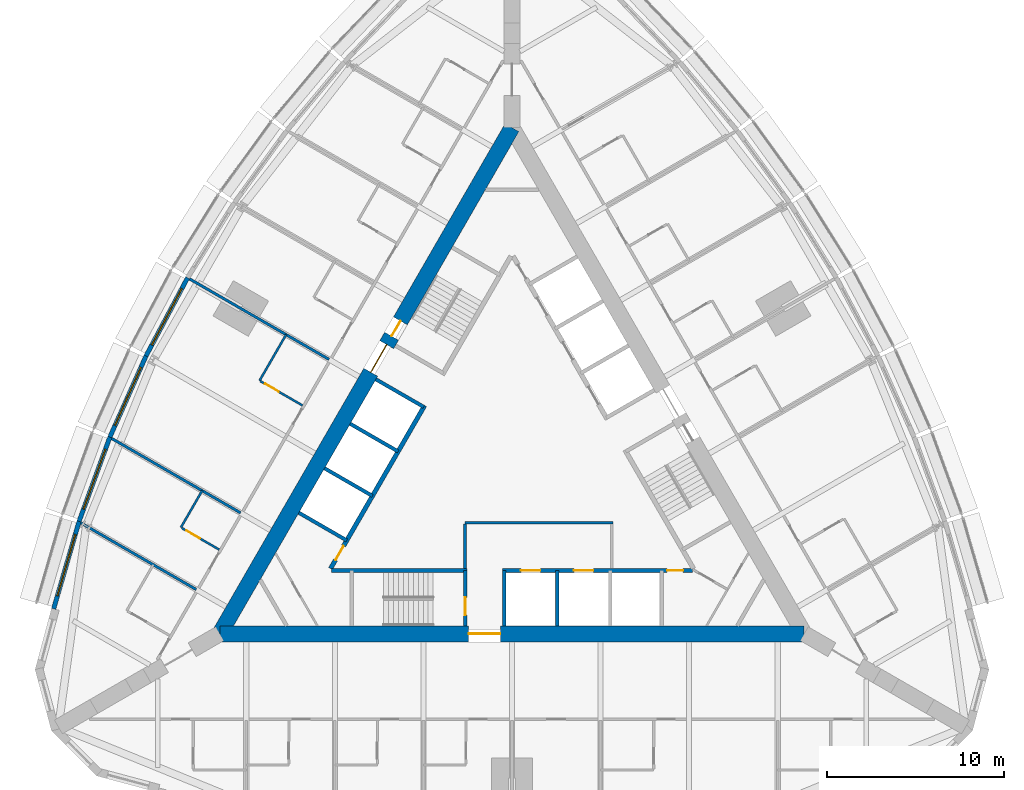
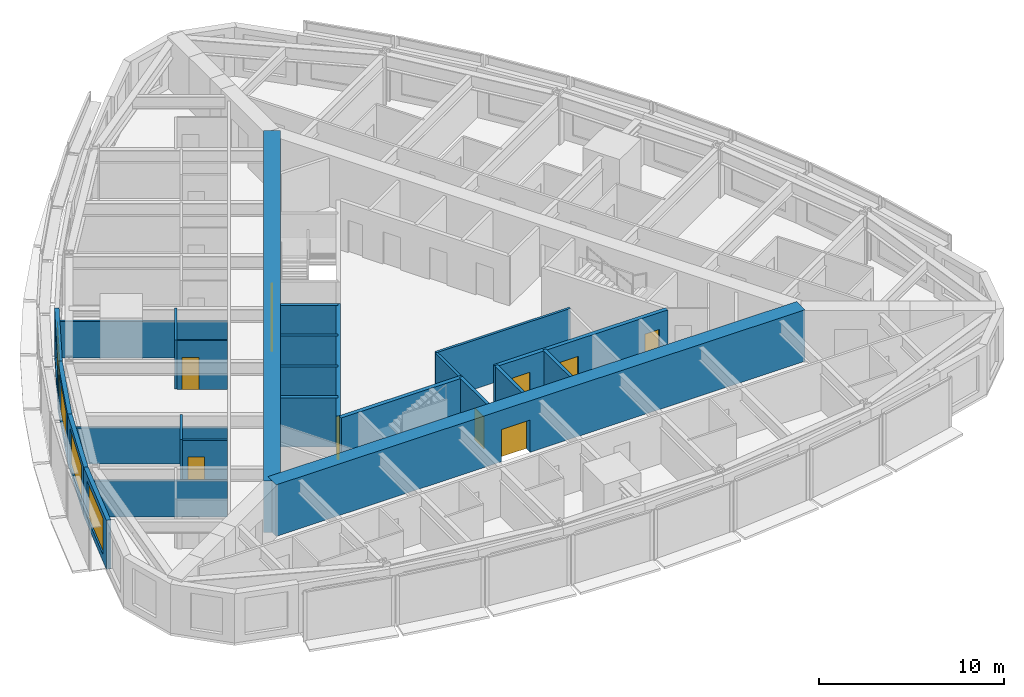
# One storey, part 9 of 14: 25 walls, 10 doors, 4 windows, 14 openings.
"""IFC4 building model written with IfcOpenShell, lengths in metres."""

from ifc_helpers import new_model, si_unit, direction, frame, frame_2d, origin, place, context, subcontext, project, spatial, rectangle, extrude, material, layer, layer_set, type_object, element, fill, save


model = new_model("IFC4")

# Units and contexts
model_context = context("Model", 3, precision=1e-05, world=origin(), true_north=direction((0.0, 1.0)))
body_context = subcontext(model_context, "Body", "Model", "MODEL_VIEW")
ifc_project = project(units=[si_unit("LENGTHUNIT", "METRE"), si_unit("AREAUNIT", "SQUARE_METRE"), si_unit("VOLUMEUNIT", "CUBIC_METRE"), si_unit("PLANEANGLEUNIT", "RADIAN"), si_unit("MASSUNIT", "GRAM", prefix="KILO")], contexts=[model_context])

# Site, building, storey
site_placement = place(None, origin())
site = spatial("IfcSite", under=ifc_project, at=site_placement, CompositionType="ELEMENT")
building_placement = place(site_placement, origin())
building = spatial("IfcBuilding", under=site, at=building_placement, Name="Trikona Tower", CompositionType="ELEMENT")
storey_placement = place(building_placement, frame((0.0, 0.0, 121.5)))
storey = spatial("IfcBuildingStorey", under=building, at=storey_placement, Name="L31", CompositionType="ELEMENT", Elevation=121.5)

# Wall
ifc_material_1 = material(Name="Metal stud and cement board", Category="gypsum")
ifc_layer_1 = layer(ifc_material_1, 0.1201171875)
ifc_layer_set_1 = layer_set([ifc_layer_1], Name="Bathroom wall 120")
wall_type_1 = type_object("IfcWallType", Name="Bathroom wall 120", PredefinedType="PLUMBINGWALL", material=ifc_layer_set_1)
wall_1_placement = place(storey_placement, frame((-12.75341796875, 7.363037109375, 0.0), z_axis=(0.0, 0.0, 1.0), x_axis=(-0.50002537861, -0.866010750942, 0.0)))
element("IfcWall", 1, at=wall_1_placement, inside=storey, type_object=wall_type_1, Name="Bathroom wall 3117", PredefinedType="PLUMBINGWALL", context=body_context, shape_type="SweptSolid", body=[
    extrude(rectangle(XDim=2.999755859375, YDim=0.1201171875, at=frame_2d((1.5, 0.0))), origin(), (0.0, 0.0, 1.0), 3.235107421875),
])

# Wall, opening, door
wall_2_placement = place(storey_placement, frame((-11.82861328125, 3.364990234375, 0.0), z_axis=(0.0, 0.0, 1.0), x_axis=(-0.865997131366, 0.500048966069, 0.0)))
wall_2 = element("IfcWall", 2, at=wall_2_placement, inside=storey, type_object=wall_type_1, Name="Bathroom wall 3117", PredefinedType="PLUMBINGWALL", context=body_context, shape_type="SweptSolid", body=[
    extrude(rectangle(XDim=2.739990234375, YDim=0.1201171875, at=frame_2d((1.3701171875, 0.0))), origin(), (0.0, 0.0, 1.0), 3.235107421875),
])
opening_1_placement = place(wall_2_placement, frame((1.550048828125, 0.0, 0.0)))
opening_1 = element("IfcOpeningElement", 3, at=opening_1_placement, cuts=wall_2, Name="Opening D2", PredefinedType="OPENING", context=body_context, shape_type="SweptSolid", body=[
    extrude(rectangle(XDim=0.89990234375, YDim=2.1298828125, at=frame_2d((0.449951171875, 1.06494140625))), frame((0.0, 0.070068359375, 0.0), z_axis=(0.0, -1.0, 0.0), x_axis=(1.0, 0.0, 0.0)), (0.0, 0.0, 1.0), 0.14013671875),
])
ifc_material_2 = material(Name="Steel door frame with solid-core timber leaf", Category="steel")
door_type_1 = type_object("IfcDoorType", Name="Bathroom door 900x2130", OperationType="SLIDING_TO_LEFT", PredefinedType="DOOR", material=ifc_material_2)
door_1_placement = place(opening_1_placement, origin())
door_1 = element("IfcDoor", 4, at=door_1_placement, inside=storey, type_object=door_type_1, Name="Bathroom door 3117", OperationType="SLIDING_TO_LEFT", OverallHeight=2.1298828125, OverallWidth=0.89990234375, PredefinedType="DOOR", context=body_context, shape_type="SweptSolid", body=[
    extrude(rectangle(XDim=0.89990234375, YDim=2.1298828125, at=frame_2d((0.449951171875, 1.06494140625))), frame((0.0, 0.02490234375, 0.0), z_axis=(0.0, -1.0, 0.0), x_axis=(1.0, 0.0, 0.0)), (0.0, 0.0, 1.0), 0.050048828125),
])
fill(opening_1, door_1)

# Wall
wall_3_placement = place(storey_placement, frame((-17.493408203125, -1.447021484375, 0.0), z_axis=(0.0, 0.0, 1.0), x_axis=(-0.500033551112, -0.866006032174, 0.0)))
element("IfcWall", 5, at=wall_3_placement, inside=storey, type_object=wall_type_1, Name="Bathroom wall 3118", PredefinedType="PLUMBINGWALL", context=body_context, shape_type="SweptSolid", body=[
    extrude(rectangle(XDim=2.400146484375, YDim=0.1201171875, at=frame_2d((1.2001953125, 0.0))), origin(), (0.0, 0.0, 1.0), 3.235107421875),
])

# Wall, opening, door
wall_4_placement = place(storey_placement, frame((-16.528564453125, -4.775634765625, 0.0), z_axis=(0.0, 0.0, 1.0), x_axis=(-0.866023955769, 0.500002508028, 0.0)))
wall_4 = element("IfcWall", 6, at=wall_4_placement, inside=storey, type_object=wall_type_1, Name="Bathroom wall 3118", PredefinedType="PLUMBINGWALL", context=body_context, shape_type="SweptSolid", body=[
    extrude(rectangle(XDim=2.43994140625, YDim=0.1201171875, at=frame_2d((1.219970703125, 0.0))), origin(), (0.0, 0.0, 1.0), 3.235107421875),
])
opening_2_placement = place(wall_4_placement, frame((1.25, 0.0, 0.0)))
opening_2 = element("IfcOpeningElement", 7, at=opening_2_placement, cuts=wall_4, Name="Opening D2", PredefinedType="OPENING", context=body_context, shape_type="SweptSolid", body=[
    extrude(rectangle(XDim=0.89990234375, YDim=2.1298828125, at=frame_2d((0.449951171875, 1.06494140625))), frame((0.0, 0.070068359375, 0.0), z_axis=(0.0, -1.0, 0.0), x_axis=(1.0, 0.0, 0.0)), (0.0, 0.0, 1.0), 0.14013671875),
])
door_2_placement = place(opening_2_placement, origin())
door_2 = element("IfcDoor", 8, at=door_2_placement, inside=storey, type_object=door_type_1, Name="Bathroom door 3118", OperationType="SLIDING_TO_LEFT", OverallHeight=2.1298828125, OverallWidth=0.89990234375, PredefinedType="DOOR", context=body_context, shape_type="SweptSolid", body=[
    extrude(rectangle(XDim=0.89990234375, YDim=2.1298828125, at=frame_2d((0.449951171875, 1.06494140625))), frame((0.0, 0.02490234375, 0.0), z_axis=(0.0, -1.0, 0.0), x_axis=(1.0, 0.0, 0.0)), (0.0, 0.0, 1.0), 0.050048828125),
])
fill(opening_2, door_2)

ifc_material_3 = material(Name="Concrete f'c 10000 psi", Category="concrete")
ifc_layer_2 = layer(ifc_material_3, 0.89990234375)
ifc_layer_set_2 = layer_set([ifc_layer_2], Name="Core wall 900")
wall_type_2 = type_object("IfcWallType", Name="Core wall 900", PredefinedType="SHEAR", material=ifc_layer_set_2)
wall_5_placement = place(storey_placement, frame((-16.5, -9.5263671875, 0.0), z_axis=(0.0, 0.0, 1.0), x_axis=(1.0, 0.0, 0.0)))
wall_5 = element("IfcWall", 9, at=wall_5_placement, inside=storey, type_object=wall_type_2, Name="Core wall A", PredefinedType="SHEAR", context=body_context, shape_type="SweptSolid", body=[
    extrude(rectangle(XDim=33.0, YDim=0.89990234375, at=frame_2d((16.5, 0.0))), origin(), (0.0, 0.0, 1.0), 3.39990234375),
])
opening_3_placement = place(wall_5_placement, frame((14.050048828125, 0.0, 0.0)))
opening_3 = element("IfcOpeningElement", 10, at=opening_3_placement, cuts=wall_5, Name="Opening D6", PredefinedType="OPENING", context=body_context, shape_type="SweptSolid", body=[
    extrude(rectangle(XDim=1.800048828125, YDim=2.1298828125, at=frame_2d((0.89990234375, 1.06494140625))), frame((0.0, 0.4599609375, 0.0), z_axis=(0.0, -1.0, 0.0), x_axis=(1.0, 0.0, 0.0)), (0.0, 0.0, 1.0), 0.919921875),
])
ifc_material_4 = material(Name="Hollow metal door and frame", Category="steel")
door_type_2 = type_object("IfcDoorType", Name="Lobby door pair 1800x2130", OperationType="DOUBLE_DOOR_SINGLE_SWING", PredefinedType="DOOR", material=ifc_material_4)
door_3_placement = place(opening_3_placement, origin())
door_3 = element("IfcDoor", 11, at=door_3_placement, inside=storey, type_object=door_type_2, Name="Fire service lift lobby door", OperationType="DOUBLE_DOOR_SINGLE_SWING", OverallHeight=2.1298828125, OverallWidth=1.800048828125, PredefinedType="DOOR", context=body_context, shape_type="SweptSolid", body=[
    extrude(rectangle(XDim=1.800048828125, YDim=2.1298828125, at=frame_2d((0.89990234375, 1.06494140625))), frame((0.0, 0.02490234375, 0.0), z_axis=(0.0, -1.0, 0.0), x_axis=(1.0, 0.0, 0.0)), (0.0, 0.0, 1.0), 0.050048828125),
])
fill(opening_3, door_3)

# Wall, openings, doors
wall_6_placement = place(storey_placement, frame((0.0, 19.052490234375, 0.0), z_axis=(0.0, 0.0, 1.0), x_axis=(-0.499999749417, -0.866025548458, 0.0)))
wall_6 = element("IfcWall", 12, at=wall_6_placement, inside=storey, type_object=wall_type_2, Name="Core wall C", PredefinedType="SHEAR", context=body_context, shape_type="SweptSolid", body=[
    extrude(rectangle(XDim=33.0, YDim=0.89990234375, at=frame_2d((16.5, 0.0))), origin(), (0.0, 0.0, 1.0), 3.39990234375),
])
opening_4_placement = place(wall_6_placement, frame((14.14990234375, 0.0, 0.0)))
opening_4 = element("IfcOpeningElement", 13, at=opening_4_placement, cuts=wall_6, Name="Opening D6", PredefinedType="OPENING", context=body_context, shape_type="SweptSolid", body=[
    extrude(rectangle(XDim=1.800048828125, YDim=2.1298828125, at=frame_2d((0.89990234375, 1.06494140625))), frame((0.0, 0.4599609375, 0.0), z_axis=(0.0, -1.0, 0.0), x_axis=(1.0, 0.0, 0.0)), (0.0, 0.0, 1.0), 0.919921875),
])
opening_5_placement = place(wall_6_placement, frame((12.60009765625, 0.0, 0.0)))
opening_5 = element("IfcOpeningElement", 14, at=opening_5_placement, cuts=wall_6, Name="Opening D5", PredefinedType="OPENING", context=body_context, shape_type="SweptSolid", body=[
    extrude(rectangle(XDim=1.0, YDim=2.1298828125, at=frame_2d((0.5, 1.06494140625))), frame((0.0, 0.4599609375, 0.0), z_axis=(0.0, -1.0, 0.0), x_axis=(1.0, 0.0, 0.0)), (0.0, 0.0, 1.0), 0.919921875),
])
door_4_placement = place(opening_4_placement, origin())
door_4 = element("IfcDoor", 15, at=door_4_placement, inside=storey, type_object=door_type_2, Name="Lift lobby door C", OperationType="DOUBLE_DOOR_SINGLE_SWING", OverallHeight=2.1298828125, OverallWidth=1.800048828125, PredefinedType="DOOR", context=body_context, shape_type="SweptSolid", body=[
    extrude(rectangle(XDim=1.800048828125, YDim=2.1298828125, at=frame_2d((0.89990234375, 1.06494140625))), frame((0.0, 0.02490234375, 0.0), z_axis=(0.0, -1.0, 0.0), x_axis=(1.0, 0.0, 0.0)), (0.0, 0.0, 1.0), 0.050048828125),
])
fill(opening_4, door_4)
ifc_material_5 = material(Name="Hollow metal door and frame", Category="steel")
door_type_3 = type_object("IfcDoorType", Name="Stair door 1000x2130", OperationType="SINGLE_SWING_LEFT", PredefinedType="DOOR", material=ifc_material_5)
door_5_placement = place(opening_5_placement, origin())
door_5 = element("IfcDoor", 16, at=door_5_placement, inside=storey, type_object=door_type_3, Name="Stair C door", OperationType="SINGLE_SWING_RIGHT", OverallHeight=2.1298828125, OverallWidth=1.0, PredefinedType="DOOR", context=body_context, shape_type="SweptSolid", body=[
    extrude(rectangle(XDim=1.0, YDim=2.1298828125, at=frame_2d((0.5, 1.06494140625))), frame((0.0, 0.02490234375, 0.0), z_axis=(0.0, -1.0, 0.0), x_axis=(1.0, 0.0, 0.0)), (0.0, 0.0, 1.0), 0.050048828125),
])
fill(opening_5, door_5)

# Wall
ifc_material_6 = material(Name="Concrete f'c 8000 psi", Category="concrete")
ifc_layer_3 = layer(ifc_material_6, 0.25)
ifc_layer_set_3 = layer_set([ifc_layer_3], Name="Hub wall 250")
wall_type_3 = type_object("IfcWallType", Name="Hub wall 250", PredefinedType="SOLIDWALL", material=ifc_layer_set_3)
wall_7_placement = place(storey_placement, frame((-10.182861328125, -5.951416015625, 0.0), z_axis=(0.0, 0.0, 1.0), x_axis=(1.0, 0.0, 0.0)))
element("IfcWall", 17, at=wall_7_placement, inside=storey, type_object=wall_type_3, Name="Lift lobby wall A1", PredefinedType="SOLIDWALL", context=body_context, shape_type="SweptSolid", body=[
    extrude(rectangle(XDim=7.6328125, YDim=0.25, at=frame_2d((3.81640625, 0.0))), origin(), (0.0, 0.0, 1.0), 3.235107421875),
])

# Wall, openings, doors
wall_8_placement = place(storey_placement, frame((-0.550048828125, -5.951416015625, 0.0), z_axis=(0.0, 0.0, 1.0), x_axis=(1.0, 0.0, 0.0)))
wall_8 = element("IfcWall", 18, at=wall_8_placement, inside=storey, type_object=wall_type_3, Name="Lift lobby wall A2", PredefinedType="SOLIDWALL", context=body_context, shape_type="SweptSolid", body=[
    extrude(rectangle(XDim=10.73291015625, YDim=0.25, at=frame_2d((5.366455078125, 0.0))), origin(), (0.0, 0.0, 1.0), 3.235107421875),
])
opening_6_placement = place(wall_8_placement, frame((9.31396484375, 0.0, 0.0)))
opening_6 = element("IfcOpeningElement", 19, at=opening_6_placement, cuts=wall_8, Name="Opening D14", PredefinedType="OPENING", context=body_context, shape_type="SweptSolid", body=[
    extrude(rectangle(XDim=0.89990234375, YDim=2.1298828125, at=frame_2d((0.449951171875, 1.06494140625))), frame((0.0, 0.135009765625, 0.0), z_axis=(0.0, -1.0, 0.0), x_axis=(1.0, 0.0, 0.0)), (0.0, 0.0, 1.0), 0.27001953125),
])
opening_7_placement = place(wall_8_placement, frame((1.050048828125, 0.0, 0.0)))
opening_7 = element("IfcOpeningElement", 20, at=opening_7_placement, cuts=wall_8, Name="Opening LD", PredefinedType="OPENING", context=body_context, shape_type="SweptSolid", body=[
    extrude(rectangle(XDim=1.10009765625, YDim=2.1298828125, at=frame_2d((0.550048828125, 1.06494140625))), frame((0.0, 0.135009765625, 0.0), z_axis=(0.0, -1.0, 0.0), x_axis=(1.0, 0.0, 0.0)), (0.0, 0.0, 1.0), 0.27001953125),
])
opening_8_placement = place(wall_8_placement, frame((4.050048828125, 0.0, 0.0)))
opening_8 = element("IfcOpeningElement", 21, at=opening_8_placement, cuts=wall_8, Name="Opening LD", PredefinedType="OPENING", context=body_context, shape_type="SweptSolid", body=[
    extrude(rectangle(XDim=1.10009765625, YDim=2.1298828125, at=frame_2d((0.550048828125, 1.06494140625))), frame((0.0, 0.135009765625, 0.0), z_axis=(0.0, -1.0, 0.0), x_axis=(1.0, 0.0, 0.0)), (0.0, 0.0, 1.0), 0.27001953125),
])
ifc_material_7 = material(Name="Stainless steel lift landing door", Category="steel")
door_type_4 = type_object("IfcDoorType", Name="Lift landing door 1100x2130", OperationType="DOUBLE_DOOR_SLIDING", PredefinedType="USERDEFINED", material=ifc_material_7)
door_6_placement = place(opening_7_placement, origin())
door_6 = element("IfcDoor", 22, at=door_6_placement, inside=storey, type_object=door_type_4, Name="Lift landing door FF1", ObjectType="LIFT LANDING DOOR", OperationType="DOUBLE_DOOR_SLIDING", OverallHeight=2.1298828125, OverallWidth=1.10009765625, PredefinedType="USERDEFINED", context=body_context, shape_type="SweptSolid", body=[
    extrude(rectangle(XDim=1.10009765625, YDim=2.1298828125, at=frame_2d((0.550048828125, 1.06494140625))), frame((0.0, 0.02490234375, 0.0), z_axis=(0.0, -1.0, 0.0), x_axis=(1.0, 0.0, 0.0)), (0.0, 0.0, 1.0), 0.050048828125),
])
fill(opening_7, door_6)
door_7_placement = place(opening_8_placement, origin())
door_7 = element("IfcDoor", 23, at=door_7_placement, inside=storey, type_object=door_type_4, Name="Lift landing door FF2", ObjectType="LIFT LANDING DOOR", OperationType="DOUBLE_DOOR_SLIDING", OverallHeight=2.1298828125, OverallWidth=1.10009765625, PredefinedType="USERDEFINED", context=body_context, shape_type="SweptSolid", body=[
    extrude(rectangle(XDim=1.10009765625, YDim=2.1298828125, at=frame_2d((0.550048828125, 1.06494140625))), frame((0.0, 0.02490234375, 0.0), z_axis=(0.0, -1.0, 0.0), x_axis=(1.0, 0.0, 0.0)), (0.0, 0.0, 1.0), 0.050048828125),
])
fill(opening_8, door_7)
ifc_material_8 = material(Name="Hollow metal door and frame", Category="steel")
door_type_5 = type_object("IfcDoorType", Name="Service room door 900x2130", OperationType="SINGLE_SWING_LEFT", PredefinedType="DOOR", material=ifc_material_8)
door_8_placement = place(opening_6_placement, origin())
door_8 = element("IfcDoor", 24, at=door_8_placement, inside=storey, type_object=door_type_5, Name="Door Ice and vending ICE", OperationType="SINGLE_SWING_RIGHT", OverallHeight=2.1298828125, OverallWidth=0.89990234375, PredefinedType="DOOR", context=body_context, shape_type="SweptSolid", body=[
    extrude(rectangle(XDim=0.89990234375, YDim=2.1298828125, at=frame_2d((0.449951171875, 1.06494140625))), frame((0.0, 0.02490234375, 0.0), z_axis=(0.0, -1.0, 0.0), x_axis=(1.0, 0.0, 0.0)), (0.0, 0.0, 1.0), 0.050048828125),
])
fill(opening_6, door_8)

# Wall, opening, door
wall_9_placement = place(storey_placement, frame((-4.928955078125, 3.365478515625, 0.0), z_axis=(0.0, 0.0, 1.0), x_axis=(-0.499991433582, -0.866030349552, 0.0)))
wall_9 = element("IfcWall", 25, at=wall_9_placement, inside=storey, type_object=wall_type_3, Name="Lift lobby wall C2", PredefinedType="SOLIDWALL", context=body_context, shape_type="SweptSolid", body=[
    extrude(rectangle(XDim=10.633056640625, YDim=0.25, at=frame_2d((5.31640625, 0.0))), origin(), (0.0, 0.0, 1.0), 3.235107421875),
])
opening_9_placement = place(wall_9_placement, frame((9.1640625, 0.0, 0.0)))
opening_9 = element("IfcOpeningElement", 26, at=opening_9_placement, cuts=wall_9, Name="Opening D14", PredefinedType="OPENING", context=body_context, shape_type="SweptSolid", body=[
    extrude(rectangle(XDim=0.89990234375, YDim=2.1298828125, at=frame_2d((0.449951171875, 1.06494140625))), frame((0.0, 0.135009765625, 0.0), z_axis=(0.0, -1.0, 0.0), x_axis=(1.0, 0.0, 0.0)), (0.0, 0.0, 1.0), 0.27001953125),
])
door_9_placement = place(opening_9_placement, origin())
door_9 = element("IfcDoor", 27, at=door_9_placement, inside=storey, type_object=door_type_5, Name="Door Housekeeping store HKS", OperationType="SINGLE_SWING_RIGHT", OverallHeight=2.1298828125, OverallWidth=0.89990234375, PredefinedType="DOOR", context=body_context, shape_type="SweptSolid", body=[
    extrude(rectangle(XDim=0.89990234375, YDim=2.1298828125, at=frame_2d((0.449951171875, 1.06494140625))), frame((0.0, 0.02490234375, 0.0), z_axis=(0.0, -1.0, 0.0), x_axis=(1.0, 0.0, 0.0)), (0.0, 0.0, 1.0), 0.050048828125),
])
fill(opening_9, door_9)

# Wall, opening, window
ifc_material_9 = material(Name="Insulated precast concrete spandrel panel", Category="concrete")
ifc_layer_4 = layer(ifc_material_9, 0.25)
ifc_layer_set_4 = layer_set([ifc_layer_4], Name="Inner skin wall 250")
wall_type_4 = type_object("IfcWallType", Name="Inner skin wall 250", PredefinedType="STANDARD", material=ifc_layer_set_4)
wall_10_placement = place(storey_placement, frame((-18.314453125, 10.578857421875, 0.0), z_axis=(0.0, 0.0, 1.0), x_axis=(-0.469404966864, -0.882982999317, 0.0)))
wall_10 = element("IfcWall", 28, at=wall_10_placement, inside=storey, type_object=wall_type_4, Name="External wall L31-28", PredefinedType="STANDARD", context=body_context, shape_type="SweptSolid", body=[
    extrude(rectangle(XDim=5.0029296875, YDim=0.25, at=frame_2d((2.50146484375, 0.0))), origin(), (0.0, 0.0, 1.0), 3.235107421875),
])
opening_10_placement = place(wall_10_placement, frame((0.701416015625, 0.0, 0.449951171875)))
opening_10 = element("IfcOpeningElement", 29, at=opening_10_placement, cuts=wall_10, Name="Opening W3624", PredefinedType="OPENING", context=body_context, shape_type="SweptSolid", body=[
    extrude(rectangle(XDim=3.60009765625, YDim=2.39990234375, at=frame_2d((1.800048828125, 1.199951171875))), frame((0.0, 0.135009765625, 0.0), z_axis=(0.0, -1.0, 0.0), x_axis=(1.0, 0.0, 0.0)), (0.0, 0.0, 1.0), 0.27001953125),
])
ifc_material_10 = material(Name="Aluminium-framed double glazing", Category="aluminium")
window_type = type_object("IfcWindowType", Name="Window 3600x2400", PartitioningType="SINGLE_PANEL", PredefinedType="WINDOW", material=ifc_material_10)
window_1_placement = place(opening_10_placement, origin())
window_1 = element("IfcWindow", 30, at=window_1_placement, inside=storey, type_object=window_type, Name="Window 3117", OverallHeight=2.39990234375, OverallWidth=3.60009765625, PartitioningType="SINGLE_PANEL", PredefinedType="WINDOW", context=body_context, shape_type="SweptSolid", body=[
    extrude(rectangle(XDim=3.60009765625, YDim=2.39990234375, at=frame_2d((1.800048828125, 1.199951171875))), frame((0.0, 0.030029296875, 0.0), z_axis=(0.0, -1.0, 0.0), x_axis=(1.0, 0.0, 0.0)), (0.0, 0.0, 1.0), 0.06005859375),
])
fill(opening_10, window_1)

wall_11_placement = place(storey_placement, frame((-20.6591796875, 6.169189453125, 0.0), z_axis=(0.0, 0.0, 1.0), x_axis=(-0.406832200364, -0.913502906808, 0.0)))
wall_11 = element("IfcWall", 31, at=wall_11_placement, inside=storey, type_object=wall_type_4, Name="External wall L31-29", PredefinedType="STANDARD", context=body_context, shape_type="SweptSolid", body=[
    extrude(rectangle(XDim=5.027587890625, YDim=0.25, at=frame_2d((2.513671875, 0.0))), origin(), (0.0, 0.0, 1.0), 3.235107421875),
])
opening_11_placement = place(wall_11_placement, frame((0.713623046875, 0.0, 0.449951171875)))
opening_11 = element("IfcOpeningElement", 32, at=opening_11_placement, cuts=wall_11, Name="Opening W3624", PredefinedType="OPENING", context=body_context, shape_type="SweptSolid", body=[
    extrude(rectangle(XDim=3.60009765625, YDim=2.39990234375, at=frame_2d((1.800048828125, 1.199951171875))), frame((0.0, 0.135009765625, 0.0), z_axis=(0.0, -1.0, 0.0), x_axis=(1.0, 0.0, 0.0)), (0.0, 0.0, 1.0), 0.27001953125),
])
window_2_placement = place(opening_11_placement, origin())
window_2 = element("IfcWindow", 33, at=window_2_placement, inside=storey, type_object=window_type, Name="Window 3117", OverallHeight=2.39990234375, OverallWidth=3.60009765625, PartitioningType="SINGLE_PANEL", PredefinedType="WINDOW", context=body_context, shape_type="SweptSolid", body=[
    extrude(rectangle(XDim=3.60009765625, YDim=2.39990234375, at=frame_2d((1.800048828125, 1.199951171875))), frame((0.0, 0.030029296875, 0.0), z_axis=(0.0, -1.0, 0.0), x_axis=(1.0, 0.0, 0.0)), (0.0, 0.0, 1.0), 0.06005859375),
])
fill(opening_11, window_2)

wall_12_placement = place(storey_placement, frame((-22.701416015625, 1.58447265625, 0.0), z_axis=(0.0, 0.0, 1.0), x_axis=(-0.343225593282, -0.939252996863, 0.0)))
wall_12 = element("IfcWall", 34, at=wall_12_placement, inside=storey, type_object=wall_type_4, Name="External wall L31-30", PredefinedType="STANDARD", context=body_context, shape_type="SweptSolid", body=[
    extrude(rectangle(XDim=5.075927734375, YDim=0.25, at=frame_2d((2.5380859375, 0.0))), origin(), (0.0, 0.0, 1.0), 3.235107421875),
])
opening_12_placement = place(wall_12_placement, frame((0.738037109375, 0.0, 0.449951171875)))
opening_12 = element("IfcOpeningElement", 35, at=opening_12_placement, cuts=wall_12, Name="Opening W3624", PredefinedType="OPENING", context=body_context, shape_type="SweptSolid", body=[
    extrude(rectangle(XDim=3.60009765625, YDim=2.39990234375, at=frame_2d((1.800048828125, 1.199951171875))), frame((0.0, 0.135009765625, 0.0), z_axis=(0.0, -1.0, 0.0), x_axis=(1.0, 0.0, 0.0)), (0.0, 0.0, 1.0), 0.27001953125),
])
window_3_placement = place(opening_12_placement, origin())
window_3 = element("IfcWindow", 36, at=window_3_placement, inside=storey, type_object=window_type, Name="Window 3118", OverallHeight=2.39990234375, OverallWidth=3.60009765625, PartitioningType="SINGLE_PANEL", PredefinedType="WINDOW", context=body_context, shape_type="SweptSolid", body=[
    extrude(rectangle(XDim=3.60009765625, YDim=2.39990234375, at=frame_2d((1.800048828125, 1.199951171875))), frame((0.0, 0.030029296875, 0.0), z_axis=(0.0, -1.0, 0.0), x_axis=(1.0, 0.0, 0.0)), (0.0, 0.0, 1.0), 0.06005859375),
])
fill(opening_12, window_3)

wall_13_placement = place(storey_placement, frame((-24.44091796875, -3.17529296875, 0.0), z_axis=(0.0, 0.0, 1.0), x_axis=(-0.279528287117, -0.960137457191, 0.0)))
wall_13 = element("IfcWall", 37, at=wall_13_placement, inside=storey, type_object=wall_type_4, Name="External wall L31-31", PredefinedType="STANDARD", context=body_context, shape_type="SweptSolid", body=[
    extrude(rectangle(XDim=5.14794921875, YDim=0.25, at=frame_2d((2.573974609375, 0.0))), origin(), (0.0, 0.0, 1.0), 3.235107421875),
])
opening_13_placement = place(wall_13_placement, frame((0.77392578125, 0.0, 0.449951171875)))
opening_13 = element("IfcOpeningElement", 38, at=opening_13_placement, cuts=wall_13, Name="Opening W3624", PredefinedType="OPENING", context=body_context, shape_type="SweptSolid", body=[
    extrude(rectangle(XDim=3.60009765625, YDim=2.39990234375, at=frame_2d((1.800048828125, 1.199951171875))), frame((0.0, 0.135009765625, 0.0), z_axis=(0.0, -1.0, 0.0), x_axis=(1.0, 0.0, 0.0)), (0.0, 0.0, 1.0), 0.27001953125),
])
window_4_placement = place(opening_13_placement, origin())
window_4 = element("IfcWindow", 39, at=window_4_placement, inside=storey, type_object=window_type, Name="Window 3119", OverallHeight=2.39990234375, OverallWidth=3.60009765625, PartitioningType="SINGLE_PANEL", PredefinedType="WINDOW", context=body_context, shape_type="SweptSolid", body=[
    extrude(rectangle(XDim=3.60009765625, YDim=2.39990234375, at=frame_2d((1.800048828125, 1.199951171875))), frame((0.0, 0.030029296875, 0.0), z_axis=(0.0, -1.0, 0.0), x_axis=(1.0, 0.0, 0.0)), (0.0, 0.0, 1.0), 0.06005859375),
])
fill(opening_13, window_4)

# Walls
ifc_material_11 = material(Name="Metal stud and gypsum board, 2-hour shaft wall", Category="gypsum")
ifc_layer_5 = layer(ifc_material_11, 0.14990234375)
ifc_layer_set_5 = layer_set([ifc_layer_5], Name="Lobby wall 150")
wall_type_5 = type_object("IfcWallType", Name="Lobby wall 150", PredefinedType="PARTITIONING", material=ifc_layer_set_5)
wall_14_placement = place(storey_placement, frame((-2.64990234375, -3.251220703125, 0.0), z_axis=(0.0, 0.0, 1.0), x_axis=(1.0, 0.0, 0.0)))
element("IfcWall", 40, at=wall_14_placement, inside=storey, type_object=wall_type_5, Name="Fire service lift lobby wall 1", PredefinedType="PARTITIONING", context=body_context, shape_type="SweptSolid", body=[
    extrude(rectangle(XDim=8.349853515625, YDim=0.14990234375, at=frame_2d((4.1748046875, 0.0))), origin(), (0.0, 0.0, 1.0), 3.235107421875),
])
wall_15_placement = place(storey_placement, frame((-2.64990234375, -5.826416015625, 0.0), z_axis=(0.0, 0.0, 1.0), x_axis=(0.0, 1.0, 0.0)))
element("IfcWall", 41, at=wall_15_placement, inside=storey, type_object=wall_type_5, Name="Fire service lift lobby wall 2", PredefinedType="PARTITIONING", context=body_context, shape_type="SweptSolid", body=[
    extrude(rectangle(XDim=2.5, YDim=0.14990234375, at=frame_2d((1.25, 0.0))), origin(), (0.0, 0.0, 1.0), 3.235107421875),
])
ifc_material_12 = material(Name="Metal stud and gypsum board, 1-hour acoustic", Category="gypsum")
ifc_layer_6 = layer(ifc_material_12, 0.14990234375)
ifc_layer_set_6 = layer_set([ifc_layer_6], Name="Party wall 150")
wall_type_6 = type_object("IfcWallType", Name="Party wall 150", PredefinedType="PARTITIONING", material=ifc_layer_set_6)
wall_16_placement = place(storey_placement, frame((-10.32861328125, 5.963134765625, 0.0), z_axis=(0.0, 0.0, 1.0), x_axis=(-0.866025170687, 0.500000403736, 0.0)))
element("IfcWall", 42, at=wall_16_placement, inside=storey, type_object=wall_type_6, Name="Partition L31 F3 u0", PredefinedType="PARTITIONING", context=body_context, shape_type="SweptSolid", body=[
    extrude(rectangle(XDim=9.0986328125, YDim=0.14990234375, at=frame_2d((4.54931640625, 0.0))), origin(), (0.0, 0.0, 1.0), 2.38916015625),
])
wall_17_placement = place(storey_placement, frame((-15.32861328125, -2.697021484375, 0.0), z_axis=(0.0, 0.0, 1.0), x_axis=(-0.866024316602, 0.50000188305, 0.0)))
element("IfcWall", 43, at=wall_17_placement, inside=storey, type_object=wall_type_6, Name="Partition L31 F3 u10", PredefinedType="PARTITIONING", context=body_context, shape_type="SweptSolid", body=[
    extrude(rectangle(XDim=8.39501953125, YDim=0.14990234375, at=frame_2d((4.197509765625, 0.0))), origin(), (0.0, 0.0, 1.0), 2.38916015625),
])
wall_18_placement = place(storey_placement, frame((-17.82861328125, -7.027099609375, 0.0), z_axis=(0.0, 0.0, 1.0), x_axis=(-0.866029804378, 0.499992377871, 0.0)))
element("IfcWall", 44, at=wall_18_placement, inside=storey, type_object=wall_type_6, Name="Partition L31 F3 u15", PredefinedType="PARTITIONING", context=body_context, shape_type="SweptSolid", body=[
    extrude(rectangle(XDim=7.51611328125, YDim=0.14990234375, at=frame_2d((3.758056640625, 0.0))), origin(), (0.0, 0.0, 1.0), 2.38916015625),
])
ifc_material_13 = material(Name="Concrete f'c 8000 psi", Category="concrete")
ifc_layer_7 = layer(ifc_material_13, 0.199951171875)
ifc_layer_set_7 = layer_set([ifc_layer_7], Name="Shaft wall 200")
wall_type_7 = type_object("IfcWallType", Name="Shaft wall 200", PredefinedType="SOLIDWALL", material=ifc_layer_set_7)
for number, where, z_axis, x_axis, name in (
    (45, (-0.449951171875, -5.951416015625, 0.0), (0.0, 0.0, 1.0), (0.0, -1.0, 0.0), "Shaft wall A3"),
    (46, (2.550048828125, -5.951416015625, 0.0), (0.0, 0.0, 1.0), (0.0, -1.0, 0.0), "Shaft wall A4"),
    (47, (-4.97900390625, 3.27880859375, 0.0), (0.0, 0.0, 1.0), (-0.866022959057, 0.500004234368, 0.0), "Shaft wall C3"),
    (48, (-6.428955078125, 0.767333984375, 0.0), (0.0, 0.0, 1.0), (-0.866022959057, 0.500004234368, 0.0), "Shaft wall C4"),
    (49, (-7.87890625, -1.744140625, 0.0), (0.0, 0.0, 1.0), (-0.866022959057, 0.500004234368, 0.0), "Shaft wall C5"),
    (50, (-9.3291015625, -4.255615234375, 0.0), (0.0, 0.0, 1.0), (-0.866022959057, 0.500004234368, 0.0), "Shaft wall C6"),
):
    element("IfcWall", number, at=place(storey_placement, frame(where, z_axis=z_axis, x_axis=x_axis)), inside=storey, type_object=wall_type_7, Name=name, PredefinedType="SOLIDWALL", context=body_context, shape_type="SweptSolid", body=[
        extrude(rectangle(XDim=3.125, YDim=0.199951171875, at=frame_2d((1.5625, 0.0))), origin(), (0.0, 0.0, 1.0), 3.235107421875),
    ])

# Wall, opening, door
ifc_material_14 = material(Name="Concrete f'c 8000 psi", Category="concrete")
ifc_layer_8 = layer(ifc_material_14, 0.199951171875)
ifc_layer_set_8 = layer_set([ifc_layer_8], Name="Shaft wall 200 load-bearing")
wall_type_8 = type_object("IfcWallType", Name="Shaft wall 200 load-bearing", PredefinedType="SOLIDWALL", material=ifc_layer_set_8)
wall_19_placement = place(storey_placement, frame((-2.64990234375, -5.951416015625, 0.0), z_axis=(0.0, 0.0, 1.0), x_axis=(0.0, -1.0, 0.0)))
wall_19 = element("IfcWall", 51, at=wall_19_placement, inside=storey, type_object=wall_type_8, Name="Shaft wall A2", PredefinedType="SOLIDWALL", context=body_context, shape_type="SweptSolid", body=[
    extrude(rectangle(XDim=3.125, YDim=0.199951171875, at=frame_2d((1.5625, 0.0))), origin(), (0.0, 0.0, 1.0), 3.235107421875),
])
opening_14_placement = place(wall_19_placement, frame((1.52490234375, 0.0, 0.0)))
opening_14 = element("IfcOpeningElement", 52, at=opening_14_placement, cuts=wall_19, Name="Opening D5", PredefinedType="OPENING", context=body_context, shape_type="SweptSolid", body=[
    extrude(rectangle(XDim=1.0, YDim=2.1298828125, at=frame_2d((0.5, 1.06494140625))), frame((0.0, 0.10986328125, 0.0), z_axis=(0.0, -1.0, 0.0), x_axis=(1.0, 0.0, 0.0)), (0.0, 0.0, 1.0), 0.219970703125),
])
door_10_placement = place(opening_14_placement, origin())
door_10 = element("IfcDoor", 53, at=door_10_placement, inside=storey, type_object=door_type_3, Name="Stair A door", OperationType="SINGLE_SWING_RIGHT", OverallHeight=2.1298828125, OverallWidth=1.0, PredefinedType="DOOR", context=body_context, shape_type="SweptSolid", body=[
    extrude(rectangle(XDim=1.0, YDim=2.1298828125, at=frame_2d((0.5, 1.06494140625))), frame((0.0, 0.02490234375, 0.0), z_axis=(0.0, -1.0, 0.0), x_axis=(1.0, 0.0, 0.0)), (0.0, 0.0, 1.0), 0.050048828125),
])
fill(opening_14, door_10)

save(model, "model.ifc")
